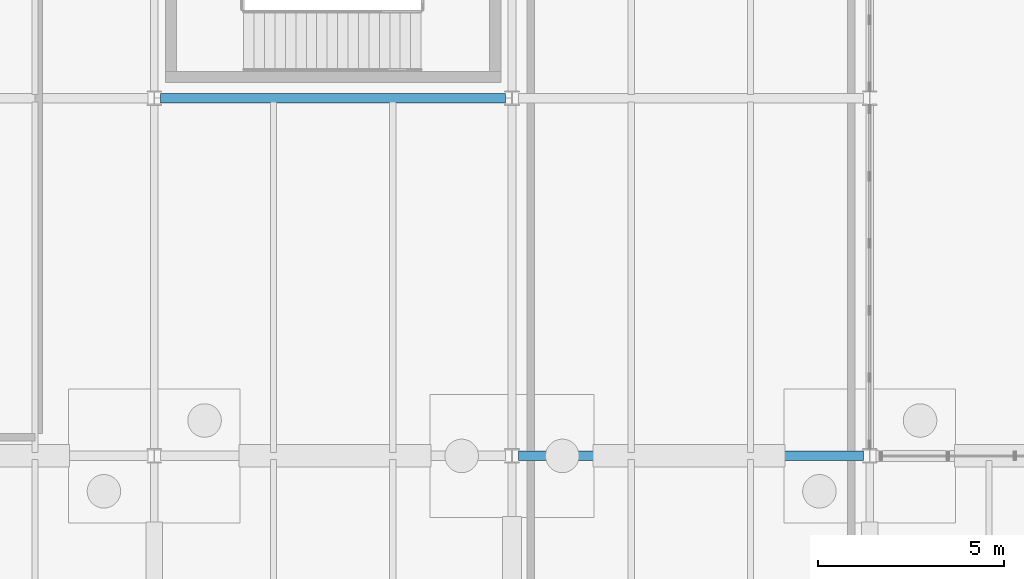
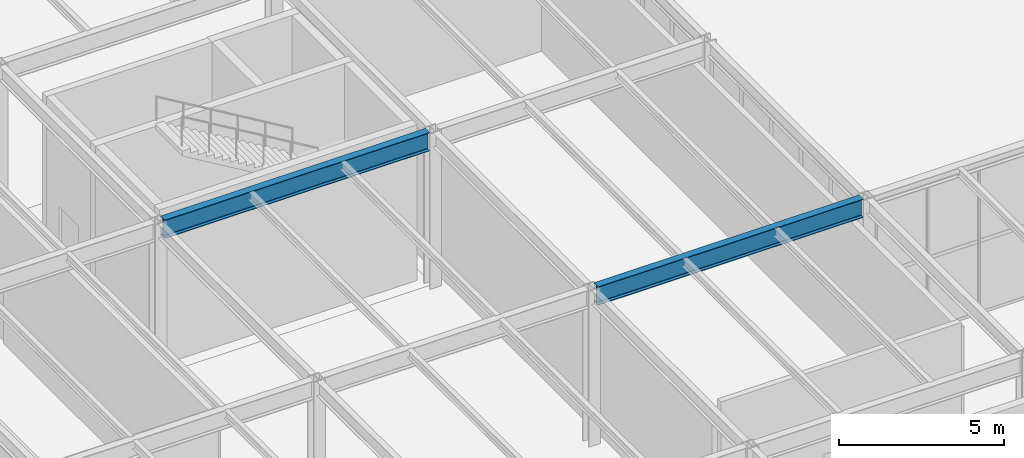
# One storey, part 38 of 142: 2 beams.
"""IFC4 building model written with IfcOpenShell, lengths in metres."""

from ifc_helpers import new_model, si_unit, direction, frame, origin, origin_2d, place, context, subcontext, project, spatial, i_section, extrude, material, material_profile, profile_set, type_object, element, save


model = new_model("IFC4")

# Units and contexts
model_context = context("Model", 3, precision=1e-05, world=origin(), true_north=direction((0.0, 1.0)))
body_context = subcontext(model_context, "Body", "Model", "MODEL_VIEW")
ifc_project = project(units=[si_unit("LENGTHUNIT", "METRE"), si_unit("AREAUNIT", "SQUARE_METRE"), si_unit("VOLUMEUNIT", "CUBIC_METRE"), si_unit("PLANEANGLEUNIT", "RADIAN"), si_unit("MASSUNIT", "GRAM", prefix="KILO")], contexts=[model_context])

# Site, building, storey
site_placement = place(None, origin())
site = spatial("IfcSite", under=ifc_project, at=site_placement, CompositionType="ELEMENT")
building_placement = place(site_placement, origin())
building = spatial("IfcBuilding", under=site, at=building_placement, Name="Coralgate Yard Interchange", CompositionType="ELEMENT")
storey_placement = place(building_placement, origin())
storey = spatial("IfcBuildingStorey", under=building, at=storey_placement, Name="L00", CompositionType="ELEMENT", Elevation=0.0)

# Beams
ifc_material = material(Name="Structural steel S355J2", Category="steel")
ifc_material_profile = material_profile(ifc_material, i_section(OverallWidth=0.253662109375, OverallDepth=0.68359375, WebThickness=0.012451171875, FlangeThickness=0.01904296875, FilletRadius=0.01513671875, at=origin_2d()), Name="UB 686x254x140")
ifc_profile_set = profile_set([ifc_material_profile], Name="Structural steel S355J2")
beam_type = type_object("IfcBeamType", Name="BM-SG-4", PredefinedType="BEAM", material=ifc_profile_set)
beam_1_placement = place(storey_placement, frame((19.369384765625, 19.199951171875, 5.408203125), z_axis=(1.0, 0.0, 0.0), x_axis=(0.0, 1.0, 0.0)))
element("IfcBeam", 1, at=beam_1_placement, inside=storey, type_object=beam_type, Name="L00 primary grid beam Y2 X2-3", PredefinedType="BEAM", context=body_context, shape_type="SweptSolid", body=[
    extrude(i_section(OverallWidth=0.253662109375, OverallDepth=0.68359375, WebThickness=0.012451171875, FlangeThickness=0.01904296875, FilletRadius=0.01513671875, at=origin_2d()), origin(), (0.0, 0.0, 1.0), 9.26123046875),
])
beam_2_placement = place(storey_placement, frame((9.76953125, 28.800048828125, 5.408203125), z_axis=(1.0, 0.0, 0.0), x_axis=(0.0, 1.0, 0.0)))
element("IfcBeam", 2, at=beam_2_placement, inside=storey, type_object=beam_type, Name="L00 primary grid beam Y3 X1-2", PredefinedType="BEAM", context=body_context, shape_type="SweptSolid", body=[
    extrude(i_section(OverallWidth=0.253662109375, OverallDepth=0.68359375, WebThickness=0.012451171875, FlangeThickness=0.01904296875, FilletRadius=0.01513671875, at=origin_2d()), origin(), (0.0, 0.0, 1.0), 9.260986328125),
])

save(model, "model.ifc")
